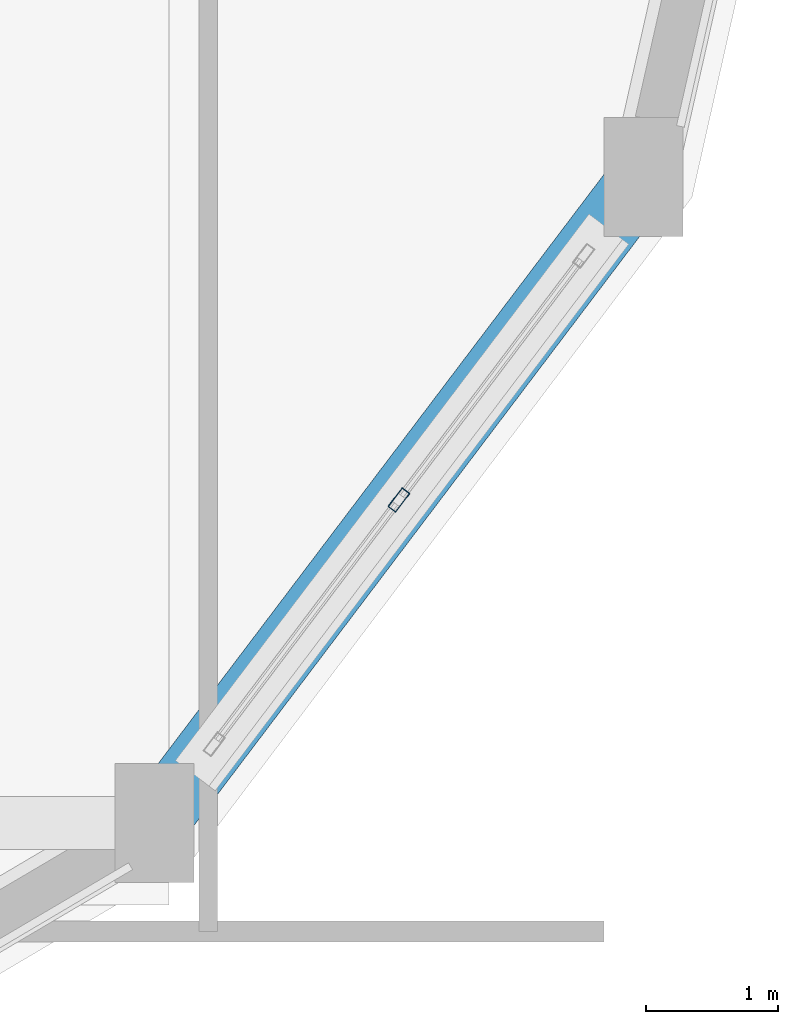
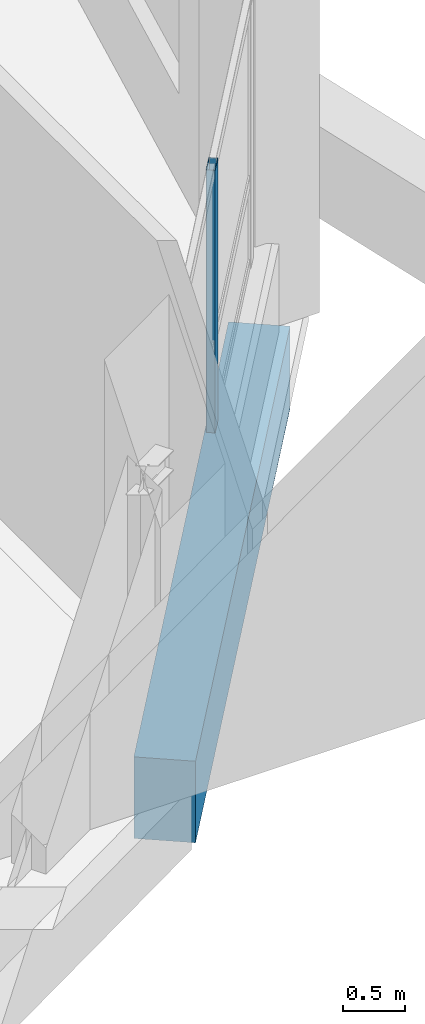
# One storey, part 91 of 129: 1 beam, 1 member, 1 element without a shape of its own.
"""IFC4 building model written with IfcOpenShell, lengths in metres."""

from ifc_helpers import new_model, si_unit, direction, frame, origin, origin_2d, place, context, subcontext, project, spatial, rectangle, hollow_rectangle, extrude, material, layer, layer_set, material_profile, profile_set, type_object, element, aggregate, save


model = new_model("IFC4")

# Units and contexts
model_context = context("Model", 3, precision=1e-05, world=origin(), true_north=direction((0.0, 1.0)))
body_context = subcontext(model_context, "Body", "Model", "MODEL_VIEW")
ifc_project = project(units=[si_unit("LENGTHUNIT", "METRE"), si_unit("AREAUNIT", "SQUARE_METRE"), si_unit("VOLUMEUNIT", "CUBIC_METRE"), si_unit("PLANEANGLEUNIT", "RADIAN"), si_unit("MASSUNIT", "GRAM", prefix="KILO")], contexts=[model_context])

# Site, building, storey
site_placement = place(None, origin())
site = spatial("IfcSite", under=ifc_project, at=site_placement, CompositionType="ELEMENT")
building_placement = place(site_placement, origin())
building = spatial("IfcBuilding", under=site, at=building_placement, Name="Vespera Passage Community Centre", CompositionType="ELEMENT")
storey_placement = place(building_placement, origin())
storey = spatial("IfcBuildingStorey", under=building, at=storey_placement, Name="L00", CompositionType="ELEMENT", Elevation=0.0)

# Beam
ifc_material_1 = material(Name="Concrete f'c 35 MPa", Category="concrete")
ifc_material_profile_1 = material_profile(ifc_material_1, rectangle(XDim=0.5, YDim=0.800048828125, at=origin_2d()), Name="RC500X800")
ifc_profile_set_1 = profile_set([ifc_material_profile_1], Name="Concrete f'c 35 MPa")
beam_type = type_object("IfcBeamType", Name="BM-SP-500X800E", PredefinedType="SPANDREL", material=ifc_profile_set_1)
beam_placement = place(storey_placement, frame((155.091552734375, 78.82275390625, -0.679931640625), z_axis=(0.603409203322, 0.797431710773, 0.0), x_axis=(-0.797431710773, 0.603409203322, 0.0)))
element("IfcBeam", 1, at=beam_placement, inside=storey, type_object=beam_type, Name="V2 L00 Perimeter Spandrel 15", PredefinedType="SPANDREL", context=body_context, shape_type="SweptSolid", body=[
    extrude(rectangle(XDim=0.5, YDim=0.800048828125, at=origin_2d()), origin(), (0.0, 0.0, 1.0), 6.14306640625),
])

# Curtain wall, member
ifc_material_2 = material(Name="Anodized aluminium 6063-T6", Category="aluminium")
ifc_layer = layer(ifc_material_2, 0.159912109375)
ifc_layer_set = layer_set([ifc_layer], Name="Anodized aluminium 6063-T6")
curtain_wall_type = type_object("IfcCurtainWallType", Name="CW-90E", PredefinedType="NOTDEFINED", material=ifc_layer_set)
curtain_wall_placement = place(storey_placement, origin())
curtain_wall = element("IfcCurtainWall", 2, at=curtain_wall_placement, inside=storey, type_object=curtain_wall_type, Name="Sports Drum Ribbon Curtain Wall L00.15", PredefinedType="NOTDEFINED")
ifc_material_3 = material(Name="Anodized aluminium 6063-T6", Category="aluminium")
ifc_material_profile_2 = material_profile(ifc_material_3, hollow_rectangle(XDim=0.074951171875, YDim=0.179931640625, WallThickness=0.0048828125, InnerFilletRadius=0.00244140625, OuterFilletRadius=0.0048828125, at=origin_2d()), Name="ALU180X75X5")
ifc_profile_set_2 = profile_set([ifc_material_profile_2], Name="Anodized aluminium 6063-T6")
member_type = type_object("IfcMemberType", Name="MB-CWM-180E", PredefinedType="MULLION", material=ifc_profile_set_2)
member_placement = place(storey_placement, frame((156.94482421875, 81.272216796875, 0.85009765625), z_axis=(0.0, 0.0, 1.0), x_axis=(0.797434495654, -0.603405522961, 0.0)))
member = element("IfcMember", 3, at=member_placement, type_object=member_type, Name="CW-90E mullion 2", PredefinedType="MULLION", context=body_context, shape_type="SweptSolid", body=[
    extrude(hollow_rectangle(XDim=0.074951171875, YDim=0.179931640625, WallThickness=0.0048828125, InnerFilletRadius=0.00244140625, OuterFilletRadius=0.0048828125, at=origin_2d()), origin(), (0.0, 0.0, 1.0), 2.574951171875),
])
aggregate(curtain_wall, [member])

save(model, "model.ifc")
